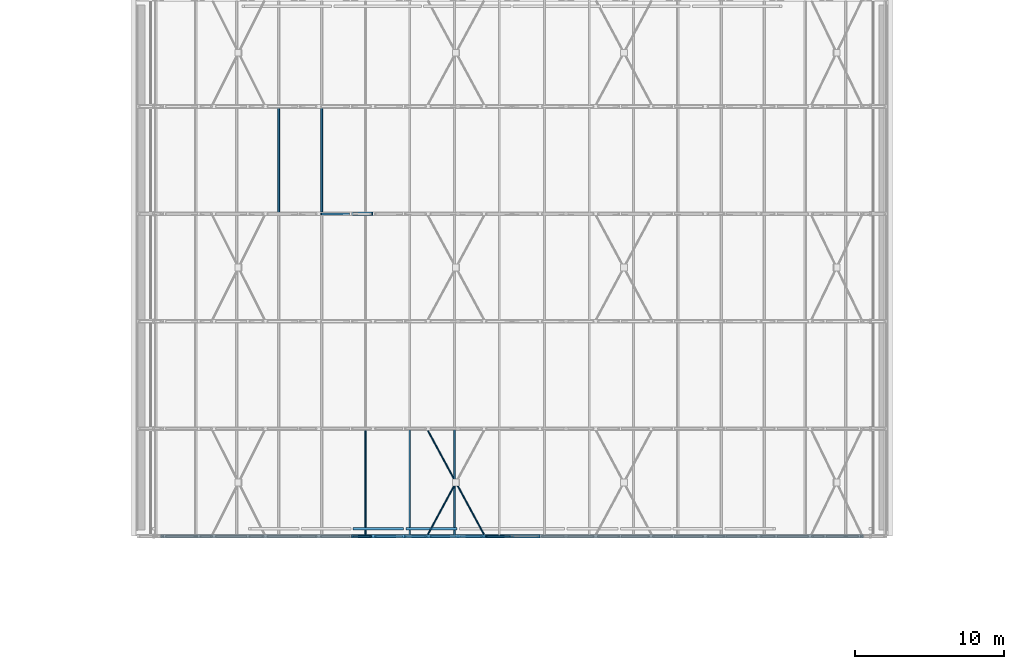
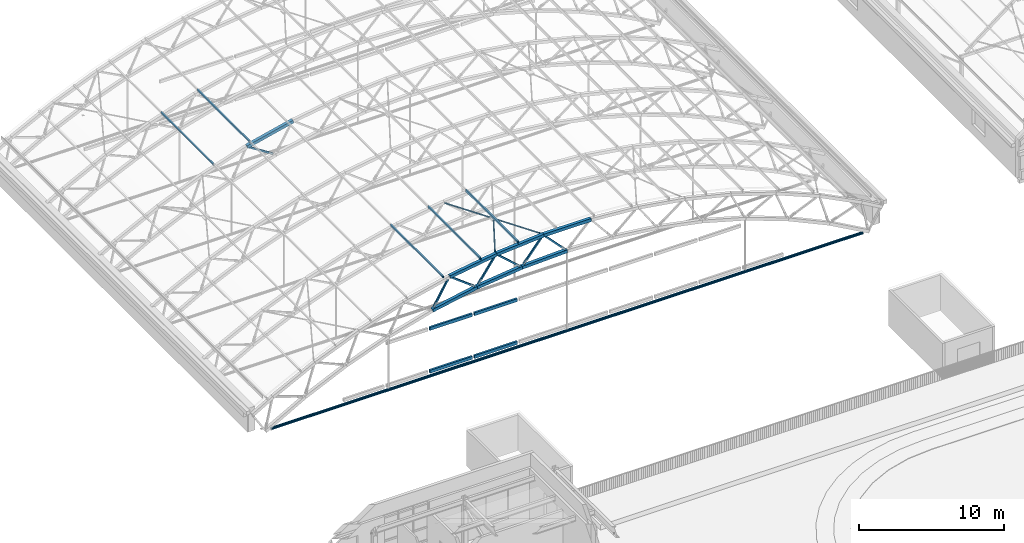
# One storey, part 12 of 127: 22 members, 4 beams.
"""IFC4 building model written with IfcOpenShell, lengths in metres."""

from ifc_helpers import new_model, si_unit, direction, frame, origin, origin_2d, place, context, subcontext, project, spatial, hollow_rectangle, hollow_circle, extrude, material, material_profile, profile_set, type_object, element, save


model = new_model("IFC4")

# Units and contexts
model_context = context("Model", 3, precision=1e-05, world=origin(), true_north=direction((0.0, 1.0)))
body_context = subcontext(model_context, "Body", "Model", "MODEL_VIEW")
ifc_project = project(units=[si_unit("LENGTHUNIT", "METRE"), si_unit("AREAUNIT", "SQUARE_METRE"), si_unit("VOLUMEUNIT", "CUBIC_METRE"), si_unit("PLANEANGLEUNIT", "RADIAN"), si_unit("MASSUNIT", "GRAM", prefix="KILO")], contexts=[model_context])

# Site, building, storey
site_placement = place(None, origin())
site = spatial("IfcSite", under=ifc_project, at=site_placement, CompositionType="ELEMENT")
building_placement = place(site_placement, origin())
building = spatial("IfcBuilding", under=site, at=building_placement, Name="Verrick Yard Athletic Hall", CompositionType="ELEMENT")
storey_placement = place(building_placement, frame((0.0, 0.0, 14.0)))
storey = spatial("IfcBuildingStorey", under=building, at=storey_placement, Name="L03", CompositionType="ELEMENT", Elevation=14.0)

# Members
ifc_material = material(Name="Structural steel HSS Class C 350W (CSA G40.20/G40.21)", Category="steel")
ifc_material_profile_1 = material_profile(ifc_material, hollow_rectangle(XDim=0.25390625, YDim=0.25390625, WallThickness=0.009521484375, at=origin_2d()), Name="HSS254x254x9.5")
ifc_profile_set_1 = profile_set([ifc_material_profile_1], Name="Structural steel HSS Class C 350W (CSA G40.20/G40.21)")
member_type_1 = type_object("IfcMemberType", Name="HB bottom chord HSS254x254x9.5", PredefinedType="CHORD", material=ifc_profile_set_1)
for number, where, z_axis, x_axis, name in (
    (1, (41.283447265625, 72.0, 5.4912109375), (0.980848695375, 0.0, 0.194771242181), (0.0, 1.0, 0.0), "Truss TB1 bottom chord 5"),
    (2, (44.820556640625, 72.0, 6.193359375), (0.993094882284, 0.0, 0.117313915545), (0.0, 1.0, 0.0), "Truss TB1 bottom chord 6"),
    (3, (48.401611328125, 72.0, 6.615966796875), (0.999229864493, 0.0, 0.039238729647), (0.0, 1.0, 0.0), "Truss TB1 bottom chord 7"),
):
    element("IfcMember", number, at=place(storey_placement, frame(where, z_axis=z_axis, x_axis=x_axis)), inside=storey, type_object=member_type_1, Name=name, PredefinedType="CHORD", context=body_context, shape_type="SweptSolid", body=[
        extrude(hollow_rectangle(XDim=0.25390625, YDim=0.25390625, WallThickness=0.009521484375, at=origin_2d()), origin(), (0.0, 0.0, 1.0), 3.59619140625),
    ])
ifc_material_profile_2 = material_profile(ifc_material, hollow_rectangle(XDim=0.1015625, YDim=0.203125, WallThickness=0.009521484375, at=origin_2d()), Name="HSS203x102x9.5")
ifc_profile_set_2 = profile_set([ifc_material_profile_2], Name="Structural steel HSS Class C 350W (CSA G40.20/G40.21)")
member_type_2 = type_object("IfcMemberType", Name="HB purlin HSS203x102x9.5", PredefinedType="PURLIN", material=ifc_profile_set_2)
for number, where, z_axis, x_axis, name in (
    (4, (42.176025390625, 72.0, 7.959228515625), (0.0, 1.0, 0.0), (-0.972458956474, 0.0, -0.23307418985), "HB-PU-B-1-6"),
    (5, (45.150390625, 72.0, 8.464599609375), (0.0, 1.0, 0.0), (-0.987728086354, 0.0, -0.156183313539), "HB-PU-B-1-7"),
    (6, (48.14794921875, 72.0, 8.794677734375), (0.0, 1.0, 0.0), (-0.996927304266, 0.0, -0.078332305011), "HB-PU-B-1-8"),
    (7, (36.380859375, 93.60009765625, 6.3544921875), (0.0, 1.0, 0.0), (-0.951213620533, 0.0, -0.308533058379), "HB-PU-B-4-4"),
    (8, (39.2587890625, 93.60009765625, 7.260009765625), (0.0, 1.0, 0.0), (-0.972458956474, 0.0, -0.23307418985), "HB-PU-B-4-5"),
):
    element("IfcMember", number, at=place(storey_placement, frame(where, z_axis=z_axis, x_axis=x_axis)), inside=storey, type_object=member_type_2, Name=name, PredefinedType="PURLIN", context=body_context, shape_type="SweptSolid", body=[
        extrude(hollow_rectangle(XDim=0.1015625, YDim=0.203125, WallThickness=0.009521484375, at=origin_2d()), origin(), (0.0, 0.0, 1.0), 7.199951171875),
    ])
ifc_material_profile_3 = material_profile(ifc_material, hollow_circle(Radius=0.05712890625, WallThickness=0.00634765625, at=origin_2d()), Name="HSS114x6.4")
ifc_profile_set_3 = profile_set([ifc_material_profile_3], Name="Structural steel HSS Class C 350W (CSA G40.20/G40.21)")
member_type_3 = type_object("IfcMemberType", Name="HB roof brace HSS114x6.4", PredefinedType="BRACE", material=ifc_profile_set_3)
member_1_placement = place(storey_placement, frame((46.3671875, 72.126953125, 8.425537109375), z_axis=(0.474875716983, 0.879263061961, 0.037276283213), x_axis=(-0.879874576692, 0.475205986169, 0.0)))
element("IfcMember", 9, at=member_1_placement, inside=storey, type_object=member_type_3, Name="HB-BR-B-1-5b1", PredefinedType="BRACE", context=body_context, shape_type="SweptSolid", body=[
    extrude(hollow_circle(Radius=0.05712890625, WallThickness=0.00634765625, at=origin_2d()), origin(), (0.0, 0.0, 1.0), 3.844482421875),
])
member_2_placement = place(storey_placement, frame((50.11865234375, 72.126953125, 8.72021484375), z_axis=(-0.474877095946, 0.879261242792, -0.03730161752), x_axis=(-0.879873588622, -0.47520781564, 0.0)))
element("IfcMember", 10, at=member_2_placement, inside=storey, type_object=member_type_3, Name="HB-BR-B-1-5a", PredefinedType="BRACE", context=body_context, shape_type="SweptSolid", body=[
    extrude(hollow_circle(Radius=0.05712890625, WallThickness=0.00634765625, at=origin_2d()), origin(), (0.0, 0.0, 1.0), 7.89990234375),
])
ifc_material_profile_4 = material_profile(ifc_material, hollow_circle(Radius=0.109619140625, WallThickness=0.0126953125, at=origin_2d()), Name="HSS219x13")
ifc_profile_set_4 = profile_set([ifc_material_profile_4], Name="Structural steel HSS Class C 350W (CSA G40.20/G40.21)")
member_type_4 = type_object("IfcMemberType", Name="HB tie rod HSS219x13", PredefinedType="MEMBER", material=ifc_profile_set_4)
member_3_placement = place(storey_placement, frame((28.456298828125, 72.0, 0.0), z_axis=(1.0, 0.0, 0.0), x_axis=(0.0, 1.0, 0.0)))
element("IfcMember", 11, at=member_3_placement, inside=storey, type_object=member_type_4, Name="Truss TB1 tie 1", PredefinedType="MEMBER", context=body_context, shape_type="SweptSolid", body=[
    extrude(hollow_circle(Radius=0.109619140625, WallThickness=0.0126953125, at=origin_2d()), origin(), (0.0, 0.0, 1.0), 47.08740234375),
])
ifc_material_profile_5 = material_profile(ifc_material, hollow_rectangle(XDim=0.25390625, YDim=0.25390625, WallThickness=0.009521484375, at=origin_2d()), Name="HSS254x254x9.5")
ifc_profile_set_5 = profile_set([ifc_material_profile_5], Name="Structural steel HSS Class C 350W (CSA G40.20/G40.21)")
member_type_5 = type_object("IfcMemberType", Name="HB top chord HSS254x254x9.5", PredefinedType="CHORD", material=ifc_profile_set_5)
member_4_placement = place(storey_placement, frame((42.655517578125, 72.0, 7.838623046875), z_axis=(0.987726014692, 0.0, 0.156196414495), x_axis=(0.0, 1.0, 0.0)))
element("IfcMember", 12, at=member_4_placement, inside=storey, type_object=member_type_5, Name="Truss TB1 top chord 6", PredefinedType="CHORD", context=body_context, shape_type="SweptSolid", body=[
    extrude(hollow_rectangle(XDim=0.25390625, YDim=0.25390625, WallThickness=0.009521484375, at=origin_2d()), origin(), (0.0, 0.0, 1.0), 3.7529296875),
])
member_5_placement = place(storey_placement, frame((46.372314453125, 72.0, 8.426025390625), z_axis=(0.99692762922, 0.0, 0.07832816925), x_axis=(0.0, 1.0, 0.0)))
element("IfcMember", 13, at=member_5_placement, inside=storey, type_object=member_type_5, Name="Truss TB1 top chord 7", PredefinedType="CHORD", context=body_context, shape_type="SweptSolid", body=[
    extrude(hollow_rectangle(XDim=0.25390625, YDim=0.25390625, WallThickness=0.009521484375, at=origin_2d()), origin(), (0.0, 0.0, 1.0), 3.752685546875),
])
member_6_placement = place(storey_placement, frame((50.12353515625, 72.0, 8.72021484375), z_axis=(1.0, 0.0, 0.0), x_axis=(0.0, 1.0, 0.0)))
element("IfcMember", 14, at=member_6_placement, inside=storey, type_object=member_type_5, Name="Truss TB1 top chord 8", PredefinedType="CHORD", context=body_context, shape_type="SweptSolid", body=[
    extrude(hollow_rectangle(XDim=0.25390625, YDim=0.25390625, WallThickness=0.009521484375, at=origin_2d()), origin(), (0.0, 0.0, 1.0), 3.7529296875),
])
member_7_placement = place(storey_placement, frame((38.996337890625, 93.60009765625, 6.9619140625), z_axis=(0.972453991168, 0.0, 0.233094905697), x_axis=(0.0, 1.0, 0.0)))
element("IfcMember", 15, at=member_7_placement, inside=storey, type_object=member_type_5, Name="Truss TB4 top chord 5", PredefinedType="CHORD", context=body_context, shape_type="SweptSolid", body=[
    extrude(hollow_rectangle(XDim=0.25390625, YDim=0.25390625, WallThickness=0.009521484375, at=origin_2d()), origin(), (0.0, 0.0, 1.0), 3.752685546875),
])
ifc_material_profile_6 = material_profile(ifc_material, hollow_rectangle(XDim=0.126953125, YDim=0.126953125, WallThickness=0.009521484375, at=origin_2d()), Name="HSS127x127x9.5")
ifc_profile_set_6 = profile_set([ifc_material_profile_6], Name="Structural steel HSS Class C 350W (CSA G40.20/G40.21)")
member_type_6 = type_object("IfcMemberType", Name="HB truss web HSS127x127x9.5", PredefinedType="BRACE", material=ifc_profile_set_6)
member_8_placement = place(storey_placement, frame((41.404052734375, 72.0, 5.705078125), z_axis=(0.504625153938, 0.0, 0.863338551214), x_axis=(0.0, 1.0, 0.0)))
element("IfcMember", 16, at=member_8_placement, inside=storey, type_object=member_type_6, Name="Truss TB1 web 9", PredefinedType="BRACE", context=body_context, shape_type="SweptSolid", body=[
    extrude(hollow_rectangle(XDim=0.126953125, YDim=0.126953125, WallThickness=0.009521484375, at=origin_2d()), origin(), (0.0, 0.0, 1.0), 2.233642578125),
])
member_9_placement = place(storey_placement, frame((42.839111328125, 72.0, 7.694580078125), z_axis=(0.796206425538, 0.0, -0.605025063887), x_axis=(0.0, 1.0, 0.0)))
element("IfcMember", 17, at=member_9_placement, inside=storey, type_object=member_type_6, Name="Truss TB1 web 10", PredefinedType="BRACE", context=body_context, shape_type="SweptSolid", body=[
    extrude(hollow_rectangle(XDim=0.126953125, YDim=0.126953125, WallThickness=0.009521484375, at=origin_2d()), origin(), (0.0, 0.0, 1.0), 2.2333984375),
])
for number, where, z_axis, x_axis, name in (
    (18, (44.95751953125, 72.0, 6.39697265625), (0.570664111571, 0.0, 0.821183579819), (0.0, 1.0, 0.0), "Truss TB1 web 11"),
    (19, (46.5439453125, 72.0, 8.26806640625), (0.746389338881, 0.0, -0.66550954524), (0.0, 1.0, 0.0), "Truss TB1 web 12"),
    (20, (48.55419921875, 72.0, 6.808349609375), (0.633267548908, 0.0, 0.773932950262), (0.0, 1.0, 0.0), "Truss TB1 web 13"),
):
    element("IfcMember", number, at=place(storey_placement, frame(where, z_axis=z_axis, x_axis=x_axis)), inside=storey, type_object=member_type_6, Name=name, PredefinedType="BRACE", context=body_context, shape_type="SweptSolid", body=[
        extrude(hollow_rectangle(XDim=0.126953125, YDim=0.126953125, WallThickness=0.009521484375, at=origin_2d()), origin(), (0.0, 0.0, 1.0), 2.233642578125),
    ])
member_10_placement = place(storey_placement, frame((50.282470703125, 72.0, 8.54931640625), z_axis=(0.691917233653, 0.0, -0.721976829112), x_axis=(0.0, 1.0, 0.0)))
element("IfcMember", 21, at=member_10_placement, inside=storey, type_object=member_type_6, Name="Truss TB1 web 14", PredefinedType="BRACE", context=body_context, shape_type="SweptSolid", body=[
    extrude(hollow_rectangle(XDim=0.126953125, YDim=0.126953125, WallThickness=0.009521484375, at=origin_2d()), origin(), (0.0, 0.0, 1.0), 2.2333984375),
])
member_11_placement = place(storey_placement, frame((39.190673828125, 93.60009765625, 6.832763671875), z_axis=(0.841118094735, 0.0, -0.54085150523), x_axis=(0.0, 1.0, 0.0)))
element("IfcMember", 22, at=member_11_placement, inside=storey, type_object=member_type_6, Name="Truss TB4 web 8", PredefinedType="BRACE", context=body_context, shape_type="SweptSolid", body=[
    extrude(hollow_rectangle(XDim=0.126953125, YDim=0.126953125, WallThickness=0.009521484375, at=origin_2d()), origin(), (0.0, 0.0, 1.0), 2.233642578125),
])

# Beams
ifc_material_profile_7 = material_profile(ifc_material, hollow_rectangle(XDim=0.15234375, YDim=0.25390625, WallThickness=0.009521484375, at=origin_2d()), Name="HSS254x152x9.5")
ifc_profile_set_7 = profile_set([ifc_material_profile_7], Name="Structural steel HSS Class C 350W (CSA G40.20/G40.21)")
beam_type = type_object("IfcBeamType", Name="HB wind girder HSS254x152x9.5", PredefinedType="BEAM", material=ifc_profile_set_7)
beam_1_placement = place(storey_placement, frame((41.354736328125, 72.49462890625, 0.0), z_axis=(1.0, 0.0, 0.0), x_axis=(0.0, 1.0, 0.0)))
element("IfcBeam", 23, at=beam_1_placement, inside=storey, type_object=beam_type, Name="HB-WG-BS-140-3", PredefinedType="BEAM", context=body_context, shape_type="SweptSolid", body=[
    extrude(hollow_rectangle(XDim=0.15234375, YDim=0.25390625, WallThickness=0.009521484375, at=origin_2d()), origin(), (0.0, 0.0, 1.0), 3.384521484375),
])
beam_2_placement = place(storey_placement, frame((44.891845703125, 72.49462890625, 0.0), z_axis=(1.0, 0.0, 0.0), x_axis=(0.0, 1.0, 0.0)))
element("IfcBeam", 24, at=beam_2_placement, inside=storey, type_object=beam_type, Name="HB-WG-BS-140-4", PredefinedType="BEAM", context=body_context, shape_type="SweptSolid", body=[
    extrude(hollow_rectangle(XDim=0.15234375, YDim=0.25390625, WallThickness=0.009521484375, at=origin_2d()), origin(), (0.0, 0.0, 1.0), 3.4287109375),
])
beam_3_placement = place(storey_placement, frame((41.354736328125, 72.49462890625, 3.60009765625), z_axis=(1.0, 0.0, 0.0), x_axis=(0.0, 1.0, 0.0)))
element("IfcBeam", 25, at=beam_3_placement, inside=storey, type_object=beam_type, Name="HB-WG-BS-176-2", PredefinedType="BEAM", context=body_context, shape_type="SweptSolid", body=[
    extrude(hollow_rectangle(XDim=0.15234375, YDim=0.25390625, WallThickness=0.009521484375, at=origin_2d()), origin(), (0.0, 0.0, 1.0), 3.384521484375),
])
beam_4_placement = place(storey_placement, frame((44.891845703125, 72.49462890625, 3.60009765625), z_axis=(1.0, 0.0, 0.0), x_axis=(0.0, 1.0, 0.0)))
element("IfcBeam", 26, at=beam_4_placement, inside=storey, type_object=beam_type, Name="HB-WG-BS-176-3", PredefinedType="BEAM", context=body_context, shape_type="SweptSolid", body=[
    extrude(hollow_rectangle(XDim=0.15234375, YDim=0.25390625, WallThickness=0.009521484375, at=origin_2d()), origin(), (0.0, 0.0, 1.0), 3.4287109375),
])

save(model, "model.ifc")
